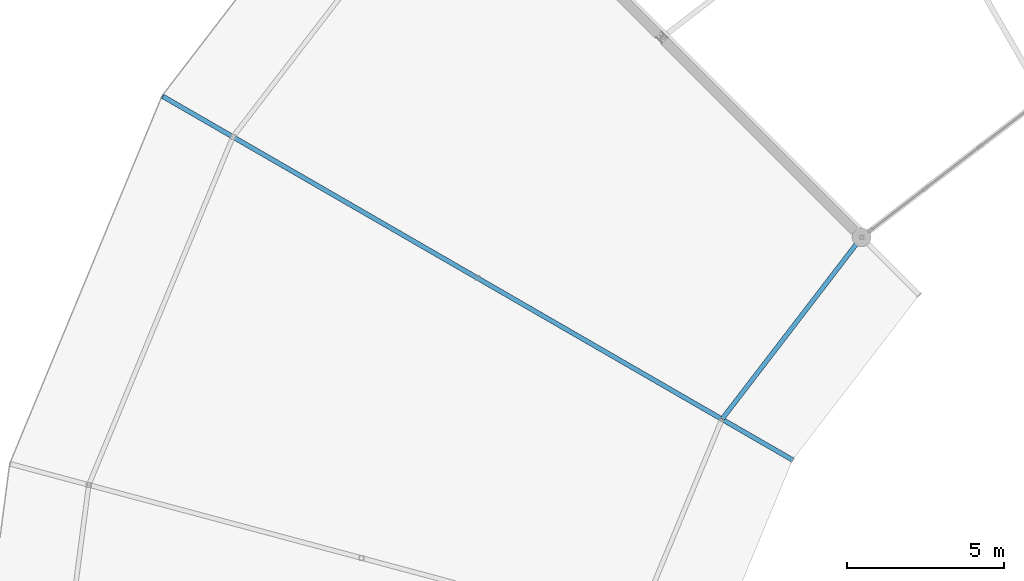
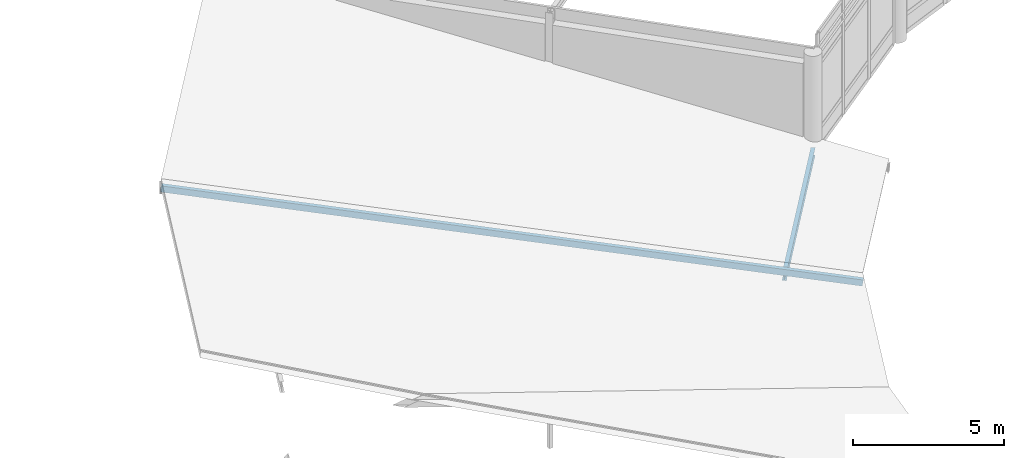
# One storey, part 38 of 93: 1 beam, 1 member.
"""IFC4 building model written with IfcOpenShell, lengths in metres."""

from ifc_helpers import new_model, si_unit, direction, frame, origin, origin_2d, place, context, subcontext, project, spatial, hollow_rectangle, i_section, extrude, material, material_profile, profile_set, type_object, element, save


model = new_model("IFC4")

# Units and contexts
model_context = context("Model", 3, precision=1e-05, world=origin(), true_north=direction((0.0, 1.0)))
body_context = subcontext(model_context, "Body", "Model", "MODEL_VIEW")
ifc_project = project(units=[si_unit("LENGTHUNIT", "METRE"), si_unit("AREAUNIT", "SQUARE_METRE"), si_unit("VOLUMEUNIT", "CUBIC_METRE"), si_unit("PLANEANGLEUNIT", "RADIAN"), si_unit("MASSUNIT", "GRAM", prefix="KILO")], contexts=[model_context])

# Site, building, storey
site_placement = place(None, origin())
site = spatial("IfcSite", under=ifc_project, at=site_placement, CompositionType="ELEMENT")
building_placement = place(site_placement, origin())
building = spatial("IfcBuilding", under=site, at=building_placement, Name="Vondelvale Polytechnic", CompositionType="ELEMENT")
storey_placement = place(building_placement, frame((0.0, 0.0, 18.0)))
storey = spatial("IfcBuildingStorey", under=building, at=storey_placement, Name="L04", CompositionType="ELEMENT", Elevation=18.0)

# Beam
ifc_material_1 = material(Name="Steel 300PLUS (fy = 300 MPa)", Category="steel")
ifc_material_profile_1 = material_profile(ifc_material_1, i_section(OverallWidth=0.14892578125, OverallDepth=0.298095703125, WebThickness=0.005615234375, FlangeThickness=0.008056640625, FilletRadius=0.011474609375, at=origin_2d()), Name="310UB32.0")
ifc_profile_set_1 = profile_set([ifc_material_profile_1], Name="Steel 300PLUS (fy = 300 MPa)")
beam_type = type_object("IfcBeamType", Name="BM-UB310L", PredefinedType="BEAM", material=ifc_profile_set_1)
beam_placement = place(storey_placement, frame((82.200927734375, 91.799072265625, 0.16259765625), z_axis=(-0.608754744979, -0.793358469083, 0.0), x_axis=(0.793358469083, -0.608754744979, 0.0)))
element("IfcBeam", 1, at=beam_placement, inside=storey, type_object=beam_type, Name="L04 RE B-25", PredefinedType="BEAM", context=body_context, shape_type="SweptSolid", body=[
    extrude(i_section(OverallWidth=0.14892578125, OverallDepth=0.298095703125, WebThickness=0.005615234375, FlangeThickness=0.008056640625, FilletRadius=0.011474609375, at=origin_2d()), origin(), (0.0, 0.0, 1.0), 7.3095703125),
])

# Member
ifc_material_2 = material(Name="Steel C350L0 (fy = 350 MPa)", Category="steel")
ifc_material_profile_2 = material_profile(ifc_material_2, hollow_rectangle(XDim=0.14990234375, YDim=0.25, WallThickness=0.006103515625, at=origin_2d()), Name="250x150x6.0RHS")
ifc_profile_set_2 = profile_set([ifc_material_profile_2], Name="Steel C350L0 (fy = 350 MPa)")
member_type = type_object("IfcMemberType", Name="RAFTER RHS250", PredefinedType="RAFTER", material=ifc_profile_set_2)
member_placement = place(storey_placement, frame((59.9111328125, 96.300048828125, 3.765625), z_axis=(0.854636582818, -0.493428630748, -0.161630744811), x_axis=(0.500003016864, 0.86602366199, 0.0)))
element("IfcMember", 2, at=member_placement, inside=storey, type_object=member_type, Name="Ring inward-sloping rafter 10", PredefinedType="RAFTER", context=body_context, shape_type="SweptSolid", body=[
    extrude(hollow_rectangle(XDim=0.14990234375, YDim=0.25, WallThickness=0.006103515625, at=origin_2d()), origin(), (0.0, 0.0, 1.0), 23.50927734375),
])

save(model, "model.ifc")
